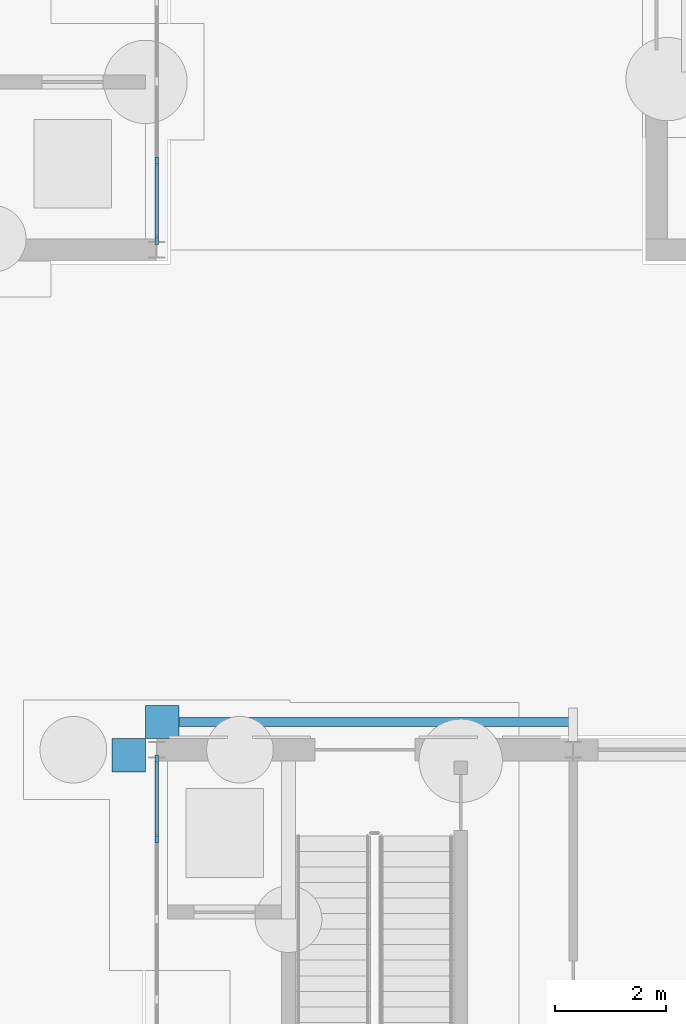
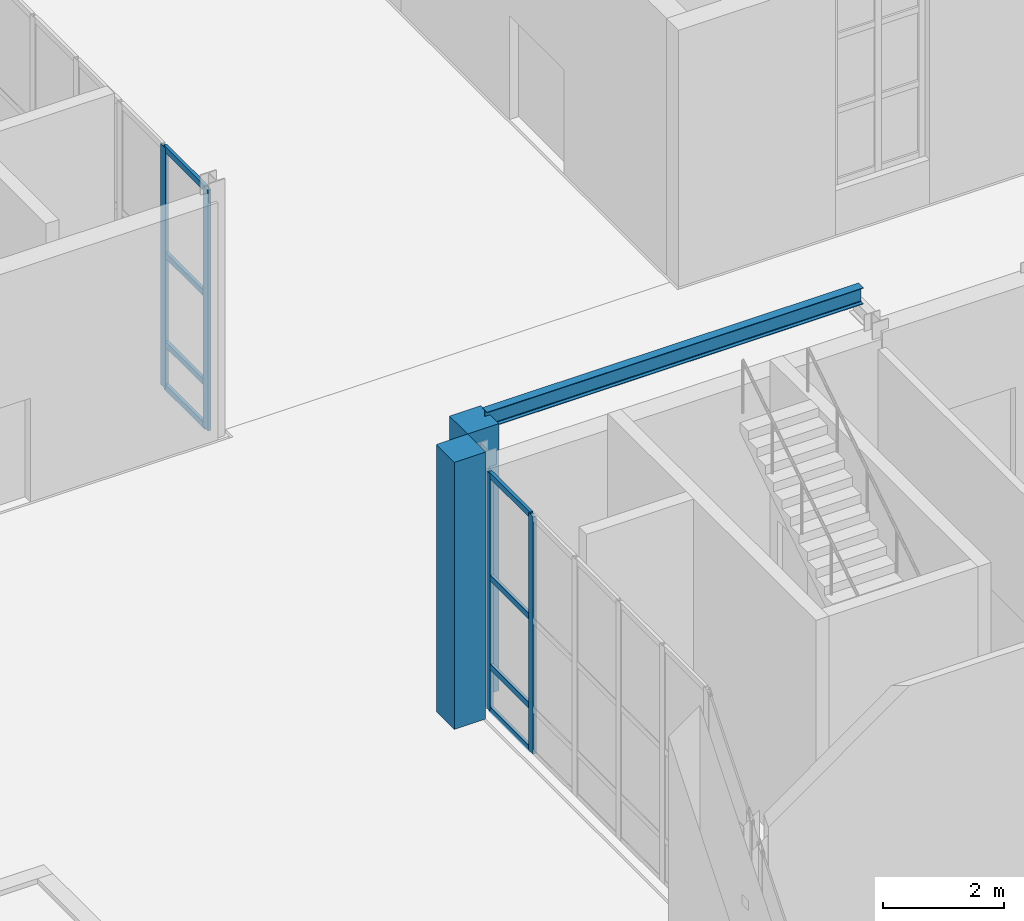
# One storey, part 53 of 168: 14 members, 1 beam, 2 elements without a shape of their own.
"""IFC4 building model written with IfcOpenShell, lengths in metres."""

from ifc_helpers import new_model, si_unit, direction, frame, origin, origin_2d, place, context, subcontext, project, spatial, rectangle, i_section, extrude, material, layer, layer_set, material_profile, profile_set, type_object, element, aggregate, save


model = new_model("IFC4")

# Units and contexts
model_context = context("Model", 3, precision=1e-05, world=origin(), true_north=direction((0.0, 1.0)))
body_context = subcontext(model_context, "Body", "Model", "MODEL_VIEW")
ifc_project = project(units=[si_unit("LENGTHUNIT", "METRE"), si_unit("AREAUNIT", "SQUARE_METRE"), si_unit("VOLUMEUNIT", "CUBIC_METRE"), si_unit("PLANEANGLEUNIT", "RADIAN"), si_unit("MASSUNIT", "GRAM", prefix="KILO")], contexts=[model_context])

# Site, building, storey
site_placement = place(None, origin())
site = spatial("IfcSite", under=ifc_project, at=site_placement, CompositionType="ELEMENT")
building_placement = place(site_placement, origin())
building = spatial("IfcBuilding", under=site, at=building_placement, Name="Golden Quay Civic Hall", CompositionType="ELEMENT")
storey_placement = place(building_placement, origin())
storey = spatial("IfcBuildingStorey", under=building, at=storey_placement, Name="L00", CompositionType="ELEMENT", Elevation=0.0)

# Curtain wall, members
ifc_material_1 = material(Name="Glass, laminated double glazed", Category="glass")
ifc_layer = layer(ifc_material_1, 0.199951171875)
ifc_layer_set = layer_set([ifc_layer], Name="Glazed core strip curtain wall")
curtain_wall_type = type_object("IfcCurtainWallType", Name="Glazed core strip curtain wall", PredefinedType="NOTDEFINED", material=ifc_layer_set)
curtain_wall_1_placement = place(storey_placement, origin())
curtain_wall_1 = element("IfcCurtainWall", 1, at=curtain_wall_1_placement, inside=storey, type_object=curtain_wall_type, Name="Glazed core strip curtain wall L00 2", PredefinedType="NOTDEFINED")
ifc_material_2 = material(Name="Aluminium, anodised", Category="aluminium")
ifc_material_profile_1 = material_profile(ifc_material_2, rectangle(XDim=0.06005859375, YDim=0.159912109375, at=origin_2d()), Name="Aluminium 60 x 160")
ifc_profile_set_1 = profile_set([ifc_material_profile_1], Name="Aluminium, anodised")
member_type_1 = type_object("IfcMemberType", Name="Aluminium mullion 60 x 160", PredefinedType="MULLION", material=ifc_profile_set_1)
member_1_placement = place(storey_placement, frame((54.0, 64.590087890625, 0.0), z_axis=(0.0, 0.0, 1.0), x_axis=(1.0, 0.0, 0.0)))
member_1 = element("IfcMember", 2, at=member_1_placement, type_object=member_type_1, Name="CW2 mullion 5", PredefinedType="MULLION", context=body_context, shape_type="SweptSolid", body=[
    extrude(rectangle(XDim=0.06005859375, YDim=0.159912109375, at=origin_2d()), origin(), (0.0, 0.0, 1.0), 4.8701171875),
])
member_2_placement = place(storey_placement, frame((54.0, 63.179931640625, 0.0), z_axis=(0.0, 0.0, 1.0), x_axis=(1.0, 0.0, 0.0)))
member_2 = element("IfcMember", 3, at=member_2_placement, type_object=member_type_1, Name="CW2 mullion 6", PredefinedType="MULLION", context=body_context, shape_type="SweptSolid", body=[
    extrude(rectangle(XDim=0.06005859375, YDim=0.159912109375, at=origin_2d()), origin(), (0.0, 0.0, 1.0), 4.8701171875),
])

curtain_wall_2_placement = place(storey_placement, origin())
curtain_wall_2 = element("IfcCurtainWall", 4, at=curtain_wall_2_placement, inside=storey, type_object=curtain_wall_type, Name="Glazed core strip curtain wall L00 7", PredefinedType="NOTDEFINED")
member_3_placement = place(storey_placement, frame((54.0, 52.4033203125, 0.0), z_axis=(0.0, 0.0, 1.0), x_axis=(-1.0, 0.0, 0.0)))
member_3 = element("IfcMember", 5, at=member_3_placement, type_object=member_type_1, Name="CW2 mullion 6", PredefinedType="MULLION", context=body_context, shape_type="SweptSolid", body=[
    extrude(rectangle(XDim=0.06005859375, YDim=0.159912109375, at=origin_2d()), origin(), (0.0, 0.0, 1.0), 4.800048828125),
])
member_4_placement = place(storey_placement, frame((54.0, 53.824951171875, 0.0), z_axis=(0.0, 0.0, 1.0), x_axis=(-1.0, 0.0, 0.0)))
member_4 = element("IfcMember", 6, at=member_4_placement, type_object=member_type_1, Name="CW2 mullion 7", PredefinedType="MULLION", context=body_context, shape_type="SweptSolid", body=[
    extrude(rectangle(XDim=0.06005859375, YDim=0.159912109375, at=origin_2d()), origin(), (0.0, 0.0, 1.0), 4.800048828125),
])

# Member
ifc_material_3 = material(Name="Aluminium, anodised", Category="aluminium")
ifc_material_profile_2 = material_profile(ifc_material_3, rectangle(XDim=0.06005859375, YDim=0.1201171875, at=origin_2d()), Name="Aluminium 60 x 120")
ifc_profile_set_2 = profile_set([ifc_material_profile_2], Name="Aluminium, anodised")
member_type_2 = type_object("IfcMemberType", Name="Aluminium transom 60 x 120", PredefinedType="USERDEFINED", material=ifc_profile_set_2)
member_5_placement = place(storey_placement, frame((54.0, 64.56005859375, 0.030029296875), z_axis=(0.0, -1.0, 0.0), x_axis=(1.0, 0.0, 0.0)))
member_5 = element("IfcMember", 7, at=member_5_placement, type_object=member_type_2, Name="CW2 transom 5.1", ObjectType="TRANSOM", PredefinedType="USERDEFINED", context=body_context, shape_type="SweptSolid", body=[
    extrude(rectangle(XDim=0.06005859375, YDim=0.1201171875, at=origin_2d()), origin(), (0.0, 0.0, 1.0), 1.35009765625),
])

member_6_placement = place(storey_placement, frame((54.0, 64.56005859375, 0.89990234375), z_axis=(0.0, -1.0, 0.0), x_axis=(1.0, 0.0, 0.0)))
member_6 = element("IfcMember", 8, at=member_6_placement, type_object=member_type_2, Name="CW2 transom 5.2", ObjectType="TRANSOM", PredefinedType="USERDEFINED", context=body_context, shape_type="SweptSolid", body=[
    extrude(rectangle(XDim=0.06005859375, YDim=0.1201171875, at=origin_2d()), origin(), (0.0, 0.0, 1.0), 1.35009765625),
])

member_7_placement = place(storey_placement, frame((54.0, 64.56005859375, 2.699951171875), z_axis=(0.0, -1.0, 0.0), x_axis=(1.0, 0.0, 0.0)))
member_7 = element("IfcMember", 9, at=member_7_placement, type_object=member_type_2, Name="CW2 transom 5.3", ObjectType="TRANSOM", PredefinedType="USERDEFINED", context=body_context, shape_type="SweptSolid", body=[
    extrude(rectangle(XDim=0.06005859375, YDim=0.1201171875, at=origin_2d()), origin(), (0.0, 0.0, 1.0), 1.35009765625),
])

member_8_placement = place(storey_placement, frame((54.0, 64.56005859375, 4.840087890625), z_axis=(0.0, -1.0, 0.0), x_axis=(1.0, 0.0, 0.0)))
member_8 = element("IfcMember", 10, at=member_8_placement, type_object=member_type_2, Name="CW2 transom 5.4", ObjectType="TRANSOM", PredefinedType="USERDEFINED", context=body_context, shape_type="SweptSolid", body=[
    extrude(rectangle(XDim=0.06005859375, YDim=0.1201171875, at=origin_2d()), origin(), (0.0, 0.0, 1.0), 1.35009765625),
])

aggregate(curtain_wall_1, [member_1, member_2, member_5, member_6, member_7, member_8])

member_9_placement = place(storey_placement, frame((54.0, 52.433349609375, 0.030029296875), z_axis=(0.0, 1.0, 0.0), x_axis=(-1.0, 0.0, 0.0)))
member_9 = element("IfcMember", 11, at=member_9_placement, type_object=member_type_2, Name="CW2 transom 6.1", ObjectType="TRANSOM", PredefinedType="USERDEFINED", context=body_context, shape_type="SweptSolid", body=[
    extrude(rectangle(XDim=0.06005859375, YDim=0.1201171875, at=origin_2d()), origin(), (0.0, 0.0, 1.0), 1.361572265625),
])

member_10_placement = place(storey_placement, frame((54.0, 52.433349609375, 0.89990234375), z_axis=(0.0, 1.0, 0.0), x_axis=(-1.0, 0.0, 0.0)))
member_10 = element("IfcMember", 12, at=member_10_placement, type_object=member_type_2, Name="CW2 transom 6.2", ObjectType="TRANSOM", PredefinedType="USERDEFINED", context=body_context, shape_type="SweptSolid", body=[
    extrude(rectangle(XDim=0.06005859375, YDim=0.1201171875, at=origin_2d()), origin(), (0.0, 0.0, 1.0), 1.361572265625),
])

member_11_placement = place(storey_placement, frame((54.0, 52.433349609375, 2.699951171875), z_axis=(0.0, 1.0, 0.0), x_axis=(-1.0, 0.0, 0.0)))
member_11 = element("IfcMember", 13, at=member_11_placement, type_object=member_type_2, Name="CW2 transom 6.3", ObjectType="TRANSOM", PredefinedType="USERDEFINED", context=body_context, shape_type="SweptSolid", body=[
    extrude(rectangle(XDim=0.06005859375, YDim=0.1201171875, at=origin_2d()), origin(), (0.0, 0.0, 1.0), 1.361572265625),
])

member_12_placement = place(storey_placement, frame((54.0, 52.433349609375, 4.77001953125), z_axis=(0.0, 1.0, 0.0), x_axis=(-1.0, 0.0, 0.0)))
member_12 = element("IfcMember", 14, at=member_12_placement, type_object=member_type_2, Name="CW2 transom 6.4", ObjectType="TRANSOM", PredefinedType="USERDEFINED", context=body_context, shape_type="SweptSolid", body=[
    extrude(rectangle(XDim=0.06005859375, YDim=0.1201171875, at=origin_2d()), origin(), (0.0, 0.0, 1.0), 1.361572265625),
])

aggregate(curtain_wall_2, [member_3, member_4, member_9, member_10, member_11, member_12])

# Members
ifc_material_4 = material(Name="Concrete C40/50", Category="concrete")
ifc_material_profile_3 = material_profile(ifc_material_4, rectangle(XDim=0.60009765625, YDim=0.60009765625, at=origin_2d()), Name="RC 600x600")
ifc_profile_set_3 = profile_set([ifc_material_profile_3], Name="Concrete C40/50")
member_type_3 = type_object("IfcMemberType", Name="Precast concrete facade post 600 x 600", PredefinedType="POST", material=ifc_profile_set_3)
for number, where, z_axis, x_axis, name in (
    (15, (53.5, 53.89990234375, 0.0), (0.0, 0.0, 1.0), (1.0, 0.0, 0.0), "Precast concrete facade post 600 x 600 L00 6"),
    (16, (54.10009765625, 54.5, 0.0), (0.0, 0.0, 1.0), (1.0, 0.0, 0.0), "Precast concrete facade post 600 x 600 L00 7"),
):
    element("IfcMember", number, at=place(storey_placement, frame(where, z_axis=z_axis, x_axis=x_axis)), inside=storey, type_object=member_type_3, Name=name, PredefinedType="POST", context=body_context, shape_type="SweptSolid", body=[
        extrude(rectangle(XDim=0.60009765625, YDim=0.60009765625, at=origin_2d()), origin(), (0.0, 0.0, 1.0), 5.39990234375),
    ])

# Beam
ifc_material_5 = material(Name="Steel S355", Category="steel")
ifc_material_profile_4 = material_profile(ifc_material_5, i_section(OverallWidth=0.159912109375, OverallDepth=0.330078125, WebThickness=0.007568359375, FlangeThickness=0.011474609375, FilletRadius=0.01806640625, at=origin_2d()), Name="IPE 330")
ifc_profile_set_4 = profile_set([ifc_material_profile_4], Name="Steel S355")
beam_type = type_object("IfcBeamType", Name="Steel pier plinth beam IPE 330", PredefinedType="BEAM", material=ifc_profile_set_4)
beam_placement = place(storey_placement, frame((54.300048828125, 54.5, 5.364990234375), z_axis=(1.0, 0.0, 0.0), x_axis=(0.0, 1.0, 0.0)))
element("IfcBeam", 17, at=beam_placement, inside=storey, type_object=beam_type, Name="Steel pier plinth beam IPE 330 L00 2", PredefinedType="BEAM", context=body_context, shape_type="SweptSolid", body=[
    extrude(i_section(OverallWidth=0.159912109375, OverallDepth=0.330078125, WebThickness=0.007568359375, FlangeThickness=0.011474609375, FilletRadius=0.01806640625, at=origin_2d()), origin(), (0.0, 0.0, 1.0), 7.199951171875),
])

save(model, "model.ifc")
